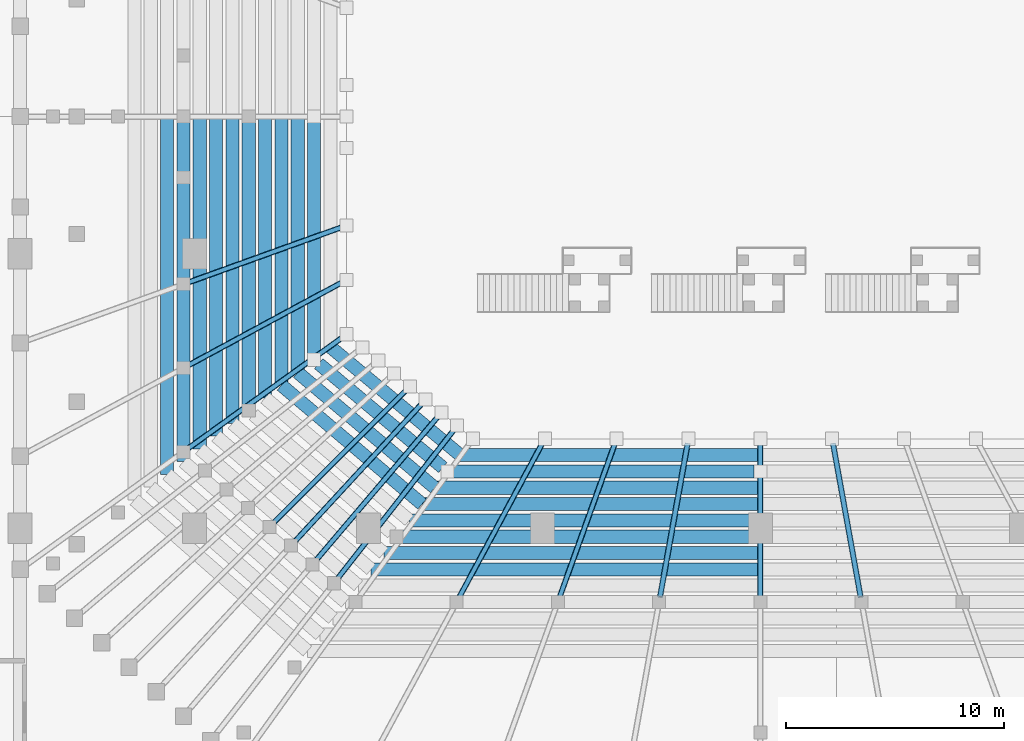
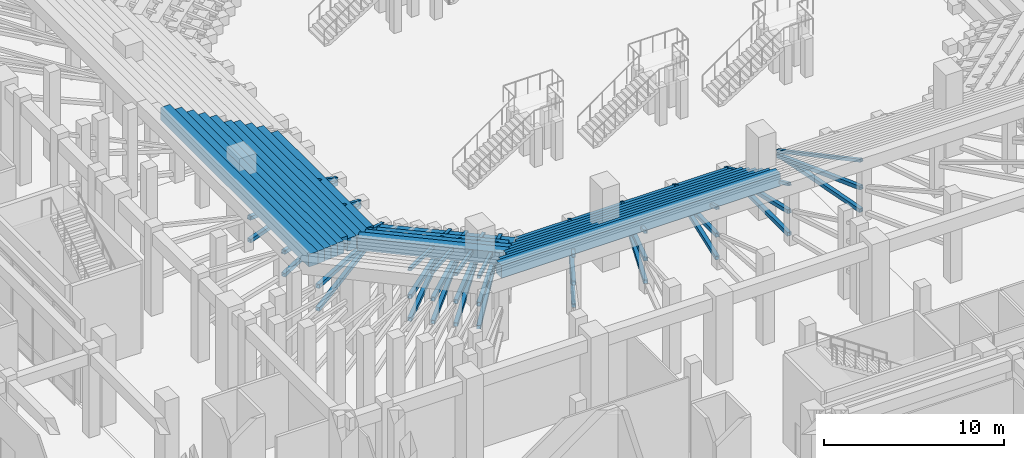
# One storey, part 32 of 143: 36 members, 22 beams.
"""IFC4 building model written with IfcOpenShell, lengths in metres."""

from ifc_helpers import new_model, si_unit, derived_unit, direction, frame, origin, origin_2d, place, context, subcontext, project, spatial, rectangle, hollow_rectangle, extrude, material, material_profile, profile_set, type_object, element, save


model = new_model("IFC4")

# Units and contexts
model_context = context("Model", 3, precision=1e-05, world=origin(), true_north=direction((0.0, 1.0)))
body_context = subcontext(model_context, "Body", "Model", "MODEL_VIEW")
ifc_project = project(units=[si_unit("LENGTHUNIT", "METRE"), si_unit("AREAUNIT", "SQUARE_METRE"), si_unit("VOLUMEUNIT", "CUBIC_METRE"), si_unit("PLANEANGLEUNIT", "RADIAN"), si_unit("MASSUNIT", "GRAM", prefix="KILO"), derived_unit("THERMALTRANSMITTANCEUNIT", [(si_unit("MASSUNIT", "GRAM", prefix="KILO"), 1), (si_unit("TIMEUNIT", "SECOND"), -3), (si_unit("THERMODYNAMICTEMPERATUREUNIT", "KELVIN"), -1)])], contexts=[model_context])

# Site, building, storey
site_placement = place(None, origin())
site = spatial("IfcSite", under=ifc_project, at=site_placement, CompositionType="ELEMENT")
building_placement = place(site_placement, origin())
building = spatial("IfcBuilding", under=site, at=building_placement, Name="Valcora Ridge Arena", CompositionType="ELEMENT")
storey_placement = place(building_placement, origin())
storey = spatial("IfcBuildingStorey", under=building, at=storey_placement, Name="L00", CompositionType="ELEMENT", Elevation=0.0)

# Beams
ifc_material_1 = material(Name="Concrete C40/50", Category="concrete")
ifc_material_profile_1 = material_profile(ifc_material_1, rectangle(XDim=0.60009765625, YDim=0.85009765625, at=origin_2d()), Name="RC 600x850")
ifc_profile_set_1 = profile_set([ifc_material_profile_1], Name="Concrete C40/50")
beam_type = type_object("IfcBeamType", Name="TY-BEAM-B-RC600-X", PredefinedType="BEAM", material=ifc_profile_set_1)
beam_1_placement = place(storey_placement, frame((44.215087890625, 48.550048828125, 0.4150390625), z_axis=(1.0, 0.0, 0.0), x_axis=(0.0, 1.0, 0.0)))
element("IfcBeam", 1, at=beam_1_placement, inside=storey, type_object=beam_type, Name="B-RC600-X BEM-R2-B-RC600-X-0001", PredefinedType="BEAM", context=body_context, shape_type="SweptSolid", body=[
    extrude(rectangle(XDim=0.60009765625, YDim=0.85009765625, at=origin_2d()), origin(), (0.0, 0.0, 1.0), 13.784912109375),
])
beam_2_placement = place(storey_placement, frame((38.25, 53.514892578125, 0.4150390625), z_axis=(0.768605337433, -0.639723248968, 0.0), x_axis=(0.639723248968, 0.768605337433, 0.0)))
element("IfcBeam", 2, at=beam_2_placement, inside=storey, type_object=beam_type, Name="B-RC600-X BEM-R2-B-RC600-X-0012", PredefinedType="BEAM", context=body_context, shape_type="SweptSolid", body=[
    extrude(rectangle(XDim=0.60009765625, YDim=0.85009765625, at=origin_2d()), origin(), (0.0, 0.0, 1.0), 7.760986328125),
])
beam_3_placement = place(storey_placement, frame((43.909912109375, 47.800048828125, 0.85498046875), z_axis=(1.0, 0.0, 0.0), x_axis=(0.0, 1.0, 0.0)))
element("IfcBeam", 3, at=beam_3_placement, inside=storey, type_object=beam_type, Name="B-RC600-X BEM-R2-B-RC600-X-0013", PredefinedType="BEAM", context=body_context, shape_type="SweptSolid", body=[
    extrude(rectangle(XDim=0.60009765625, YDim=0.85009765625, at=origin_2d()), origin(), (0.0, 0.0, 1.0), 13.81005859375),
])
beam_4_placement = place(storey_placement, frame((37.5, 63.820068359375, 0.85498046875), z_axis=(0.0, -1.0, 0.0), x_axis=(1.0, 0.0, 0.0)))
element("IfcBeam", 4, at=beam_4_placement, inside=storey, type_object=beam_type, Name="B-RC600-X BEM-R2-B-RC600-X-0023", PredefinedType="BEAM", context=body_context, shape_type="SweptSolid", body=[
    extrude(rectangle(XDim=0.60009765625, YDim=0.85009765625, at=origin_2d()), origin(), (0.0, 0.0, 1.0), 10.610107421875),
])
beam_5_placement = place(storey_placement, frame((37.714599609375, 52.750244140625, 0.85498046875), z_axis=(0.76690051629, -0.6417659995, 0.0), x_axis=(0.6417659995, 0.76690051629, 0.0)))
element("IfcBeam", 5, at=beam_5_placement, inside=storey, type_object=beam_type, Name="B-RC600-X BEM-R2-B-RC600-X-0024", PredefinedType="BEAM", context=body_context, shape_type="SweptSolid", body=[
    extrude(rectangle(XDim=0.60009765625, YDim=0.85009765625, at=origin_2d()), origin(), (0.0, 0.0, 1.0), 7.433349609375),
])
beam_6_placement = place(storey_placement, frame((43.044921875, 47.050048828125, 1.294921875), z_axis=(1.0, 0.0, 0.0), x_axis=(0.0, 1.0, 0.0)))
element("IfcBeam", 6, at=beam_6_placement, inside=storey, type_object=beam_type, Name="B-RC600-X BEM-R2-B-RC600-X-0025", PredefinedType="BEAM", context=body_context, shape_type="SweptSolid", body=[
    extrude(rectangle(XDim=0.60009765625, YDim=0.85009765625, at=origin_2d()), origin(), (0.0, 0.0, 1.0), 14.955078125),
])
beam_7_placement = place(storey_placement, frame((36.75, 64.10009765625, 1.294921875), z_axis=(0.0, -1.0, 0.0), x_axis=(1.0, 0.0, 0.0)))
element("IfcBeam", 7, at=beam_7_placement, inside=storey, type_object=beam_type, Name="B-RC600-X BEM-R2-B-RC600-X-0035", PredefinedType="BEAM", context=body_context, shape_type="SweptSolid", body=[
    extrude(rectangle(XDim=0.60009765625, YDim=0.85009765625, at=origin_2d()), origin(), (0.0, 0.0, 1.0), 11.755126953125),
])
beam_8_placement = place(storey_placement, frame((36.75, 52.344970703125, 1.294921875), z_axis=(0.765274358305, -0.643704246157, 0.0), x_axis=(0.643704246157, 0.765274358305, 0.0)))
element("IfcBeam", 8, at=beam_8_placement, inside=storey, type_object=beam_type, Name="B-RC600-X BEM-R2-B-RC600-X-0036", PredefinedType="BEAM", context=body_context, shape_type="SweptSolid", body=[
    extrude(rectangle(XDim=0.60009765625, YDim=0.85009765625, at=origin_2d()), origin(), (0.0, 0.0, 1.0), 8.2255859375),
])
beam_9_placement = place(storey_placement, frame((42.4599609375, 46.300048828125, 1.735107421875), z_axis=(1.0, 0.0, 0.0), x_axis=(0.0, 1.0, 0.0)))
element("IfcBeam", 9, at=beam_9_placement, inside=storey, type_object=beam_type, Name="B-RC600-X BEM-R2-B-RC600-X-0037", PredefinedType="BEAM", context=body_context, shape_type="SweptSolid", body=[
    extrude(rectangle(XDim=0.60009765625, YDim=0.85009765625, at=origin_2d()), origin(), (0.0, 0.0, 1.0), 15.5400390625),
])
beam_10_placement = place(storey_placement, frame((36.0, 64.10009765625, 1.735107421875), z_axis=(0.0, -1.0, 0.0), x_axis=(1.0, 0.0, 0.0)))
element("IfcBeam", 10, at=beam_10_placement, inside=storey, type_object=beam_type, Name="B-RC600-X BEM-R2-B-RC600-X-0047", PredefinedType="BEAM", context=body_context, shape_type="SweptSolid", body=[
    extrude(rectangle(XDim=0.60009765625, YDim=0.85009765625, at=origin_2d()), origin(), (0.0, 0.0, 1.0), 12.340087890625),
])
beam_11_placement = place(storey_placement, frame((36.0, 51.760009765625, 1.735107421875), z_axis=(0.763745277173, -0.64551773918, 0.0), x_axis=(0.64551773918, 0.763745277173, 0.0)))
element("IfcBeam", 11, at=beam_11_placement, inside=storey, type_object=beam_type, Name="B-RC600-X BEM-R2-B-RC600-X-0048", PredefinedType="BEAM", context=body_context, shape_type="SweptSolid", body=[
    extrude(rectangle(XDim=0.60009765625, YDim=0.85009765625, at=origin_2d()), origin(), (0.0, 0.0, 1.0), 8.458251953125),
])
beam_12_placement = place(storey_placement, frame((41.875, 45.550048828125, 2.175048828125), z_axis=(1.0, 0.0, 0.0), x_axis=(0.0, 1.0, 0.0)))
element("IfcBeam", 12, at=beam_12_placement, inside=storey, type_object=beam_type, Name="B-RC600-X BEM-R2-B-RC600-X-0049", PredefinedType="BEAM", context=body_context, shape_type="SweptSolid", body=[
    extrude(rectangle(XDim=0.60009765625, YDim=0.85009765625, at=origin_2d()), origin(), (0.0, 0.0, 1.0), 16.125),
])
beam_13_placement = place(storey_placement, frame((35.25, 64.10009765625, 2.175048828125), z_axis=(0.0, -1.0, 0.0), x_axis=(1.0, 0.0, 0.0)))
element("IfcBeam", 13, at=beam_13_placement, inside=storey, type_object=beam_type, Name="B-RC600-X BEM-R2-B-RC600-X-0059", PredefinedType="BEAM", context=body_context, shape_type="SweptSolid", body=[
    extrude(rectangle(XDim=0.60009765625, YDim=0.85009765625, at=origin_2d()), origin(), (0.0, 0.0, 1.0), 12.925048828125),
])
beam_14_placement = place(storey_placement, frame((41.570068359375, 44.800048828125, 2.614990234375), z_axis=(1.0, 0.0, 0.0), x_axis=(0.0, 1.0, 0.0)))
element("IfcBeam", 14, at=beam_14_placement, inside=storey, type_object=beam_type, Name="B-RC600-X BEM-R2-B-RC600-X-0061", PredefinedType="BEAM", context=body_context, shape_type="SweptSolid", body=[
    extrude(rectangle(XDim=0.60009765625, YDim=0.85009765625, at=origin_2d()), origin(), (0.0, 0.0, 1.0), 16.429931640625),
])
beam_15_placement = place(storey_placement, frame((34.5, 63.820068359375, 2.614990234375), z_axis=(0.0, -1.0, 0.0), x_axis=(1.0, 0.0, 0.0)))
element("IfcBeam", 15, at=beam_15_placement, inside=storey, type_object=beam_type, Name="B-RC600-X BEM-R2-B-RC600-X-0071", PredefinedType="BEAM", context=body_context, shape_type="SweptSolid", body=[
    extrude(rectangle(XDim=0.60009765625, YDim=0.85009765625, at=origin_2d()), origin(), (0.0, 0.0, 1.0), 12.949951171875),
])
beam_16_placement = place(storey_placement, frame((40.705078125, 44.050048828125, 3.054931640625), z_axis=(1.0, 0.0, 0.0), x_axis=(0.0, 1.0, 0.0)))
element("IfcBeam", 16, at=beam_16_placement, inside=storey, type_object=beam_type, Name="B-RC600-X BEM-R2-B-RC600-X-0073", PredefinedType="BEAM", context=body_context, shape_type="SweptSolid", body=[
    extrude(rectangle(XDim=0.60009765625, YDim=0.85009765625, at=origin_2d()), origin(), (0.0, 0.0, 1.0), 17.294921875),
])
beam_17_placement = place(storey_placement, frame((33.75, 64.10009765625, 3.054931640625), z_axis=(0.0, -1.0, 0.0), x_axis=(1.0, 0.0, 0.0)))
element("IfcBeam", 17, at=beam_17_placement, inside=storey, type_object=beam_type, Name="B-RC600-X BEM-R2-B-RC600-X-0083", PredefinedType="BEAM", context=body_context, shape_type="SweptSolid", body=[
    extrude(rectangle(XDim=0.60009765625, YDim=0.85009765625, at=origin_2d()), origin(), (0.0, 0.0, 1.0), 14.09521484375),
])
beam_18_placement = place(storey_placement, frame((40.1201171875, 43.300048828125, 3.4951171875), z_axis=(1.0, 0.0, 0.0), x_axis=(0.0, 1.0, 0.0)))
element("IfcBeam", 18, at=beam_18_placement, inside=storey, type_object=beam_type, Name="B-RC600-X BEM-R2-B-RC600-X-0085", PredefinedType="BEAM", context=body_context, shape_type="SweptSolid", body=[
    extrude(rectangle(XDim=0.60009765625, YDim=0.85009765625, at=origin_2d()), origin(), (0.0, 0.0, 1.0), 17.8798828125),
])
beam_19_placement = place(storey_placement, frame((33.0, 64.10009765625, 3.4951171875), z_axis=(0.0, -1.0, 0.0), x_axis=(1.0, 0.0, 0.0)))
element("IfcBeam", 19, at=beam_19_placement, inside=storey, type_object=beam_type, Name="B-RC600-X BEM-R2-B-RC600-X-0095", PredefinedType="BEAM", context=body_context, shape_type="SweptSolid", body=[
    extrude(rectangle(XDim=0.60009765625, YDim=0.85009765625, at=origin_2d()), origin(), (0.0, 0.0, 1.0), 14.68017578125),
])
beam_20_placement = place(storey_placement, frame((32.25, 64.10009765625, 3.93505859375), z_axis=(0.0, -1.0, 0.0), x_axis=(1.0, 0.0, 0.0)))
element("IfcBeam", 20, at=beam_20_placement, inside=storey, type_object=beam_type, Name="B-RC600-X BEM-R2-B-RC600-X-0107", PredefinedType="BEAM", context=body_context, shape_type="SweptSolid", body=[
    extrude(rectangle(XDim=0.60009765625, YDim=0.85009765625, at=origin_2d()), origin(), (0.0, 0.0, 1.0), 15.26513671875),
])
beam_21_placement = place(storey_placement, frame((31.5, 64.10009765625, 4.375), z_axis=(0.0, -1.0, 0.0), x_axis=(1.0, 0.0, 0.0)))
element("IfcBeam", 21, at=beam_21_placement, inside=storey, type_object=beam_type, Name="B-RC600-X BEM-R2-B-RC600-X-0119", PredefinedType="BEAM", context=body_context, shape_type="SweptSolid", body=[
    extrude(rectangle(XDim=0.60009765625, YDim=0.85009765625, at=origin_2d()), origin(), (0.0, 0.0, 1.0), 15.85009765625),
])
beam_22_placement = place(storey_placement, frame((30.75, 64.10009765625, 4.81494140625), z_axis=(0.0, -1.0, 0.0), x_axis=(1.0, 0.0, 0.0)))
element("IfcBeam", 22, at=beam_22_placement, inside=storey, type_object=beam_type, Name="B-RC600-X BEM-R2-B-RC600-X-0131", PredefinedType="BEAM", context=body_context, shape_type="SweptSolid", body=[
    extrude(rectangle(XDim=0.60009765625, YDim=0.85009765625, at=origin_2d()), origin(), (0.0, 0.0, 1.0), 16.43505859375),
])

# Members
ifc_material_2 = material(Name="Steel ASTM A500 Grade C", Category="steel")
ifc_material_profile_2 = material_profile(ifc_material_2, hollow_rectangle(XDim=0.25, YDim=0.25, WallThickness=0.012451171875, at=origin_2d()), Name="HSS250X250X12")
ifc_profile_set_2 = profile_set([ifc_material_profile_2], Name="Steel ASTM A500 Grade C")
member_type_1 = type_object("IfcMemberType", Name="TY-MEMBER-RKRC-251", PredefinedType="CHORD", material=ifc_profile_set_2)
member_1_placement = place(storey_placement, frame((47.98828125, 49.093017578125, 0.29833984375), z_axis=(-0.465453402644, -0.861923249442, 0.201100576924), x_axis=(0.879899060394, -0.47516065022, 0.0)))
element("IfcMember", 23, at=member_1_placement, inside=storey, type_object=member_type_1, Name="RKRC-251 MBR-RK-RKRC-251-0002", PredefinedType="CHORD", context=body_context, shape_type="SweptSolid", body=[
    extrude(hollow_rectangle(XDim=0.25, YDim=0.25, WallThickness=0.012451171875, at=origin_2d()), origin(), (0.0, 0.0, 1.0), 8.221435546875),
])
member_2_placement = place(storey_placement, frame((51.320556640625, 49.079345703125, 0.301513671875), z_axis=(-0.330850255217, -0.919000233363, 0.214421733278), x_axis=(0.940884093102, -0.338728686926, 0.0)))
element("IfcMember", 24, at=member_2_placement, inside=storey, type_object=member_type_1, Name="RKRC-251 MBR-RK-RKRC-251-0003", PredefinedType="CHORD", context=body_context, shape_type="SweptSolid", body=[
    extrude(hollow_rectangle(XDim=0.25, YDim=0.25, WallThickness=0.012451171875, at=origin_2d()), origin(), (0.0, 0.0, 1.0), 7.680908203125),
])
member_3_placement = place(storey_placement, frame((54.65869140625, 49.06982421875, 0.3037109375), z_axis=(-0.172687152754, -0.959210433927, 0.223817985693), x_axis=(0.984178086623, -0.17718209224, 0.0)))
element("IfcMember", 25, at=member_3_placement, inside=storey, type_object=member_type_1, Name="RKRC-251 MBR-RK-RKRC-251-0004", PredefinedType="CHORD", context=body_context, shape_type="SweptSolid", body=[
    extrude(hollow_rectangle(XDim=0.25, YDim=0.25, WallThickness=0.012451171875, at=origin_2d()), origin(), (0.0, 0.0, 1.0), 7.3388671875),
])
member_4_placement = place(storey_placement, frame((58.0, 49.06640625, 0.304443359375), z_axis=(0.0, -0.973836720987, 0.227248852269), x_axis=(1.0, 0.0, 0.0)))
element("IfcMember", 26, at=member_4_placement, inside=storey, type_object=member_type_1, Name="RKRC-251 MBR-RK-RKRC-251-0005", PredefinedType="CHORD", context=body_context, shape_type="SweptSolid", body=[
    extrude(hollow_rectangle(XDim=0.25, YDim=0.25, WallThickness=0.012451171875, at=origin_2d()), origin(), (0.0, 0.0, 1.0), 7.2216796875),
])
member_5_placement = place(storey_placement, frame((61.34130859375, 49.06982421875, 0.3037109375), z_axis=(0.172687152754, -0.959210433927, 0.223817985693), x_axis=(0.984178086623, 0.17718209224, 0.0)))
element("IfcMember", 27, at=member_5_placement, inside=storey, type_object=member_type_1, Name="RKRC-251 MBR-RK-RKRC-251-0006", PredefinedType="CHORD", context=body_context, shape_type="SweptSolid", body=[
    extrude(hollow_rectangle(XDim=0.25, YDim=0.25, WallThickness=0.012451171875, at=origin_2d()), origin(), (0.0, 0.0, 1.0), 7.3388671875),
])
member_6_placement = place(storey_placement, frame((38.779296875, 59.0205078125, 0.301513671875), z_axis=(-0.919004957011, -0.330831612914, 0.214430251798), x_axis=(0.338710249203, -0.940890730683, 0.0)))
element("IfcMember", 28, at=member_6_placement, inside=storey, type_object=member_type_1, Name="RKRC-251 MBR-RK-RKRC-251-0051", PredefinedType="CHORD", context=body_context, shape_type="SweptSolid", body=[
    extrude(hollow_rectangle(XDim=0.25, YDim=0.25, WallThickness=0.012451171875, at=origin_2d()), origin(), (0.0, 0.0, 1.0), 7.6806640625),
])
member_7_placement = place(storey_placement, frame((38.793212890625, 56.48828125, 0.29833984375), z_axis=(-0.861930883615, -0.465441489347, 0.201095429747), x_axis=(0.475147975918, -0.879905904618, 0.0)))
element("IfcMember", 29, at=member_7_placement, inside=storey, type_object=member_type_1, Name="RKRC-251 MBR-RK-RKRC-251-0052", PredefinedType="CHORD", context=body_context, shape_type="SweptSolid", body=[
    extrude(hollow_rectangle(XDim=0.25, YDim=0.25, WallThickness=0.012451171875, at=origin_2d()), origin(), (0.0, 0.0, 1.0), 8.2216796875),
])
member_8_placement = place(storey_placement, frame((38.80859375, 53.962158203125, 0.294677734375), z_axis=(-0.797370949409, -0.574095048612, 0.18604957457), x_axis=(0.584296658889, -0.811540149599, 0.0)))
element("IfcMember", 30, at=member_8_placement, inside=storey, type_object=member_type_1, Name="RKRC-251 MBR-RK-RKRC-251-0053", PredefinedType="CHORD", context=body_context, shape_type="SweptSolid", body=[
    extrude(hollow_rectangle(XDim=0.25, YDim=0.25, WallThickness=0.012451171875, at=origin_2d()), origin(), (0.0, 0.0, 1.0), 8.92578125),
])
member_9_placement = place(storey_placement, frame((41.7333984375, 51.533203125, 0.295166015625), z_axis=(-0.694454111564, -0.694426393271, 0.188428955473), x_axis=(0.70709266911, -0.707120892982, 0.0)))
element("IfcMember", 31, at=member_9_placement, inside=storey, type_object=member_type_1, Name="RKRC-251 MBR-RK-RKRC-251-0057", PredefinedType="CHORD", context=body_context, shape_type="SweptSolid", body=[
    extrude(hollow_rectangle(XDim=0.25, YDim=0.25, WallThickness=0.012451171875, at=origin_2d()), origin(), (0.0, 0.0, 1.0), 8.807861328125),
])
member_10_placement = place(storey_placement, frame((42.465087890625, 50.9267578125, 0.295166015625), z_axis=(-0.665623478086, -0.722149130028, 0.18827113273), x_axis=(0.735298404428, -0.677743503433, 0.0)))
element("IfcMember", 32, at=member_10_placement, inside=storey, type_object=member_type_1, Name="RKRC-251 MBR-RK-RKRC-251-0058", PredefinedType="CHORD", context=body_context, shape_type="SweptSolid", body=[
    extrude(hollow_rectangle(XDim=0.25, YDim=0.25, WallThickness=0.012451171875, at=origin_2d()), origin(), (0.0, 0.0, 1.0), 8.8154296875),
])
member_11_placement = place(storey_placement, frame((43.197509765625, 50.3203125, 0.295166015625), z_axis=(-0.635896408049, -0.7485781687, 0.187793726136), x_axis=(0.762137750657, -0.647414897128, 0.0)))
element("IfcMember", 33, at=member_11_placement, inside=storey, type_object=member_type_1, Name="RKRC-251 MBR-RK-RKRC-251-0059", PredefinedType="CHORD", context=body_context, shape_type="SweptSolid", body=[
    extrude(hollow_rectangle(XDim=0.25, YDim=0.25, WallThickness=0.012451171875, at=origin_2d()), origin(), (0.0, 0.0, 1.0), 8.837646484375),
])
member_12_placement = place(storey_placement, frame((43.9296875, 49.71435546875, 0.294921875), z_axis=(-0.605307455921, -0.77369753626, 0.18706952235), x_axis=(0.787601316701, -0.616185171788, 0.0)))
element("IfcMember", 34, at=member_12_placement, inside=storey, type_object=member_type_1, Name="RKRC-251 MBR-RK-RKRC-251-0060", PredefinedType="CHORD", context=body_context, shape_type="SweptSolid", body=[
    extrude(hollow_rectangle(XDim=0.25, YDim=0.25, WallThickness=0.012451171875, at=origin_2d()), origin(), (0.0, 0.0, 1.0), 8.87451171875),
])
ifc_material_profile_3 = material_profile(ifc_material_2, hollow_rectangle(XDim=0.25, YDim=0.25, WallThickness=0.012451171875, at=origin_2d()), Name="HSS250X250X12")
ifc_profile_set_3 = profile_set([ifc_material_profile_3], Name="Steel ASTM A500 Grade C")
member_type_2 = type_object("IfcMemberType", Name="TY-MEMBER-RKRC-254", PredefinedType="CHORD", material=ifc_profile_set_3)
member_13_placement = place(storey_placement, frame((47.986083984375, 49.0888671875, 0.39990234375), z_axis=(-0.475158314478, -0.879900321731, 0.0), x_axis=(0.879900321731, -0.475158314478, 0.0)))
element("IfcMember", 35, at=member_13_placement, inside=storey, type_object=member_type_2, Name="RKRC-254 MBR-RK-RKRC-254-0002", PredefinedType="CHORD", context=body_context, shape_type="SweptSolid", body=[
    extrude(hollow_rectangle(XDim=0.25, YDim=0.25, WallThickness=0.012451171875, at=origin_2d()), origin(), (0.0, 0.0, 1.0), 8.043701171875),
])
member_14_placement = place(storey_placement, frame((51.318603515625, 49.07421875, 0.39990234375), z_axis=(-0.338713697983, -0.940889489153, 0.0), x_axis=(0.940889489153, -0.338713697983, 0.0)))
element("IfcMember", 36, at=member_14_placement, inside=storey, type_object=member_type_2, Name="RKRC-254 MBR-RK-RKRC-254-0003", PredefinedType="CHORD", context=body_context, shape_type="SweptSolid", body=[
    extrude(hollow_rectangle(XDim=0.25, YDim=0.25, WallThickness=0.012451171875, at=origin_2d()), origin(), (0.0, 0.0, 1.0), 7.4912109375),
])
member_15_placement = place(storey_placement, frame((54.657470703125, 49.063720703125, 0.39990234375), z_axis=(-0.177143062941, -0.984185112289, 0.0), x_axis=(0.984185112289, -0.177143062941, 0.0)))
element("IfcMember", 37, at=member_15_placement, inside=storey, type_object=member_type_2, Name="RKRC-254 MBR-RK-RKRC-254-0004", PredefinedType="CHORD", context=body_context, shape_type="SweptSolid", body=[
    extrude(hollow_rectangle(XDim=0.25, YDim=0.25, WallThickness=0.012451171875, at=origin_2d()), origin(), (0.0, 0.0, 1.0), 7.140625),
])
member_16_placement = place(storey_placement, frame((58.0, 49.06005859375, 0.39990234375), z_axis=(0.0, -1.0, 0.0), x_axis=(1.0, 0.0, 0.0)))
element("IfcMember", 38, at=member_16_placement, inside=storey, type_object=member_type_2, Name="RKRC-254 MBR-RK-RKRC-254-0005", PredefinedType="CHORD", context=body_context, shape_type="SweptSolid", body=[
    extrude(hollow_rectangle(XDim=0.25, YDim=0.25, WallThickness=0.012451171875, at=origin_2d()), origin(), (0.0, 0.0, 1.0), 7.02001953125),
])
member_17_placement = place(storey_placement, frame((61.342529296875, 49.063720703125, 0.39990234375), z_axis=(0.177143062941, -0.984185112289, 0.0), x_axis=(0.984185112289, 0.177143062941, 0.0)))
element("IfcMember", 39, at=member_17_placement, inside=storey, type_object=member_type_2, Name="RKRC-254 MBR-RK-RKRC-254-0006", PredefinedType="CHORD", context=body_context, shape_type="SweptSolid", body=[
    extrude(hollow_rectangle(XDim=0.25, YDim=0.25, WallThickness=0.012451171875, at=origin_2d()), origin(), (0.0, 0.0, 1.0), 7.140625),
])
member_18_placement = place(storey_placement, frame((38.774169921875, 59.018798828125, 0.39990234375), z_axis=(-0.940879102469, -0.33874254905, 0.0), x_axis=(0.33874254905, -0.940879102469, 0.0)))
element("IfcMember", 40, at=member_18_placement, inside=storey, type_object=member_type_2, Name="RKRC-254 MBR-RK-RKRC-254-0051", PredefinedType="CHORD", context=body_context, shape_type="SweptSolid", body=[
    extrude(hollow_rectangle(XDim=0.25, YDim=0.25, WallThickness=0.012451171875, at=origin_2d()), origin(), (0.0, 0.0, 1.0), 7.4912109375),
])
member_19_placement = place(storey_placement, frame((38.788818359375, 56.486083984375, 0.39990234375), z_axis=(-0.879900321731, -0.475158314478, 0.0), x_axis=(0.475158314478, -0.879900321731, 0.0)))
element("IfcMember", 41, at=member_19_placement, inside=storey, type_object=member_type_2, Name="RKRC-254 MBR-RK-RKRC-254-0052", PredefinedType="CHORD", context=body_context, shape_type="SweptSolid", body=[
    extrude(hollow_rectangle(XDim=0.25, YDim=0.25, WallThickness=0.012451171875, at=origin_2d()), origin(), (0.0, 0.0, 1.0), 8.043701171875),
])
member_20_placement = place(storey_placement, frame((38.80517578125, 53.959716796875, 0.39990234375), z_axis=(-0.811524828079, -0.584317938635, 0.0), x_axis=(0.584317938635, -0.811524828079, 0.0)))
element("IfcMember", 42, at=member_20_placement, inside=storey, type_object=member_type_2, Name="RKRC-254 MBR-RK-RKRC-254-0053", PredefinedType="CHORD", context=body_context, shape_type="SweptSolid", body=[
    extrude(hollow_rectangle(XDim=0.25, YDim=0.25, WallThickness=0.012451171875, at=origin_2d()), origin(), (0.0, 0.0, 1.0), 8.76171875),
])
member_21_placement = place(storey_placement, frame((41.730224609375, 51.5302734375, 0.39990234375), z_axis=(-0.707106781187, -0.707106781187, 0.0), x_axis=(0.707106781187, -0.707106781187, 0.0)))
element("IfcMember", 43, at=member_21_placement, inside=storey, type_object=member_type_2, Name="RKRC-254 MBR-RK-RKRC-254-0057", PredefinedType="CHORD", context=body_context, shape_type="SweptSolid", body=[
    extrude(hollow_rectangle(XDim=0.25, YDim=0.25, WallThickness=0.012451171875, at=origin_2d()), origin(), (0.0, 0.0, 1.0), 8.6416015625),
])
member_22_placement = place(storey_placement, frame((42.46240234375, 50.923583984375, 0.39990234375), z_axis=(-0.677773488794, -0.735270765017, 0.0), x_axis=(0.735270765017, -0.677773488794, 0.0)))
element("IfcMember", 44, at=member_22_placement, inside=storey, type_object=member_type_2, Name="RKRC-254 MBR-RK-RKRC-254-0058", PredefinedType="CHORD", context=body_context, shape_type="SweptSolid", body=[
    extrude(hollow_rectangle(XDim=0.25, YDim=0.25, WallThickness=0.012451171875, at=origin_2d()), origin(), (0.0, 0.0, 1.0), 8.6494140625),
])
member_23_placement = place(storey_placement, frame((43.194580078125, 50.317138671875, 0.39990234375), z_axis=(-0.647413846477, -0.762138643155, 0.0), x_axis=(0.762138643155, -0.647413846477, 0.0)))
element("IfcMember", 45, at=member_23_placement, inside=storey, type_object=member_type_2, Name="RKRC-254 MBR-RK-RKRC-254-0059", PredefinedType="CHORD", context=body_context, shape_type="SweptSolid", body=[
    extrude(hollow_rectangle(XDim=0.25, YDim=0.25, WallThickness=0.012451171875, at=origin_2d()), origin(), (0.0, 0.0, 1.0), 8.671875),
])
member_24_placement = place(storey_placement, frame((43.927001953125, 49.7109375, 0.39990234375), z_axis=(-0.616200925647, -0.78758899131, 0.0), x_axis=(0.78758899131, -0.616200925647, 0.0)))
element("IfcMember", 46, at=member_24_placement, inside=storey, type_object=member_type_2, Name="RKRC-254 MBR-RK-RKRC-254-0060", PredefinedType="CHORD", context=body_context, shape_type="SweptSolid", body=[
    extrude(hollow_rectangle(XDim=0.25, YDim=0.25, WallThickness=0.012451171875, at=origin_2d()), origin(), (0.0, 0.0, 1.0), 8.709228515625),
])
ifc_material_profile_4 = material_profile(ifc_material_2, hollow_rectangle(XDim=0.199951171875, YDim=0.199951171875, WallThickness=0.012451171875, at=origin_2d()), Name="HSS200X200X12")
ifc_profile_set_4 = profile_set([ifc_material_profile_4], Name="Steel ASTM A500 Grade C")
member_type_3 = type_object("IfcMemberType", Name="TY-MEMBER-RKRD-204", PredefinedType="BRACE", material=ifc_profile_set_4)
member_25_placement = place(storey_placement, frame((47.994140625, 49.10400390625, 0.5888671875), z_axis=(-0.441322278952, -0.8172925914, 0.370496243089), x_axis=(0.879912473617, -0.475135810872, 0.0)))
element("IfcMember", 47, at=member_25_placement, inside=storey, type_object=member_type_3, Name="RKRD-204 Raker Diagonal Brace", PredefinedType="BRACE", context=body_context, shape_type="SweptSolid", body=[
    extrude(hollow_rectangle(XDim=0.199951171875, YDim=0.199951171875, WallThickness=0.012451171875, at=origin_2d()), origin(), (0.0, 0.0, 1.0), 8.69677734375),
])
member_26_placement = place(storey_placement, frame((51.3251953125, 49.09228515625, 0.59423828125), z_axis=(-0.311547948758, -0.865450734927, 0.3923428361), x_axis=(0.94089237188, -0.338705690146, 0.0)))
element("IfcMember", 48, at=member_26_placement, inside=storey, type_object=member_type_3, Name="RKRD-204 Raker Diagonal Brace", PredefinedType="BRACE", context=body_context, shape_type="SweptSolid", body=[
    extrude(hollow_rectangle(XDim=0.199951171875, YDim=0.199951171875, WallThickness=0.012451171875, at=origin_2d()), origin(), (0.0, 0.0, 1.0), 8.185791015625),
])
member_27_placement = place(storey_placement, frame((54.6611328125, 49.084228515625, 0.597900390625), z_axis=(-0.161765508608, -0.898790399294, 0.40744047217), x_axis=(0.984186524197, -0.177135218374, 0.0)))
element("IfcMember", 49, at=member_27_placement, inside=storey, type_object=member_type_3, Name="RKRD-204 Raker Diagonal Brace", PredefinedType="BRACE", context=body_context, shape_type="SweptSolid", body=[
    extrude(hollow_rectangle(XDim=0.199951171875, YDim=0.199951171875, WallThickness=0.012451171875, at=origin_2d()), origin(), (0.0, 0.0, 1.0), 7.864501953125),
])
member_28_placement = place(storey_placement, frame((58.0, 49.081298828125, 0.59912109375), z_axis=(0.0, -0.910787582671, 0.412875258707), x_axis=(1.0, 0.0, 0.0)))
element("IfcMember", 50, at=member_28_placement, inside=storey, type_object=member_type_3, Name="RKRD-204 Raker Diagonal Brace", PredefinedType="BRACE", context=body_context, shape_type="SweptSolid", body=[
    extrude(hollow_rectangle(XDim=0.199951171875, YDim=0.199951171875, WallThickness=0.012451171875, at=origin_2d()), origin(), (0.0, 0.0, 1.0), 7.754638671875),
])
member_29_placement = place(storey_placement, frame((61.3388671875, 49.084228515625, 0.597900390625), z_axis=(0.161765508608, -0.898790399294, 0.40744047217), x_axis=(0.984186524197, 0.177135218374, 0.0)))
element("IfcMember", 51, at=member_29_placement, inside=storey, type_object=member_type_3, Name="RKRD-204 Raker Diagonal Brace", PredefinedType="BRACE", context=body_context, shape_type="SweptSolid", body=[
    extrude(hollow_rectangle(XDim=0.199951171875, YDim=0.199951171875, WallThickness=0.012451171875, at=origin_2d()), origin(), (0.0, 0.0, 1.0), 7.864501953125),
])
member_30_placement = place(storey_placement, frame((38.792236328125, 59.025146484375, 0.59423828125), z_axis=(-0.865450734927, -0.311547948758, 0.3923428361), x_axis=(0.338705690146, -0.94089237188, 0.0)))
element("IfcMember", 52, at=member_30_placement, inside=storey, type_object=member_type_3, Name="RKRD-204 Raker Diagonal Brace", PredefinedType="BRACE", context=body_context, shape_type="SweptSolid", body=[
    extrude(hollow_rectangle(XDim=0.199951171875, YDim=0.199951171875, WallThickness=0.012451171875, at=origin_2d()), origin(), (0.0, 0.0, 1.0), 8.185791015625),
])
member_31_placement = place(storey_placement, frame((38.803955078125, 56.494140625, 0.5888671875), z_axis=(-0.8172925914, -0.441322278952, 0.370496243089), x_axis=(0.475135810872, -0.879912473617, 0.0)))
element("IfcMember", 53, at=member_31_placement, inside=storey, type_object=member_type_3, Name="RKRD-204 Raker Diagonal Brace", PredefinedType="BRACE", context=body_context, shape_type="SweptSolid", body=[
    extrude(hollow_rectangle(XDim=0.199951171875, YDim=0.199951171875, WallThickness=0.012451171875, at=origin_2d()), origin(), (0.0, 0.0, 1.0), 8.69677734375),
])
member_32_placement = place(storey_placement, frame((38.817138671875, 53.968505859375, 0.5830078125), z_axis=(-0.761616884855, -0.548394390331, 0.34525832844), x_axis=(0.584325941503, -0.811519065757, 0.0)))
element("IfcMember", 54, at=member_32_placement, inside=storey, type_object=member_type_3, Name="RKRD-204 Raker Diagonal Brace", PredefinedType="BRACE", context=body_context, shape_type="SweptSolid", body=[
    extrude(hollow_rectangle(XDim=0.199951171875, YDim=0.199951171875, WallThickness=0.012451171875, at=origin_2d()), origin(), (0.0, 0.0, 1.0), 9.3671875),
])
member_33_placement = place(storey_placement, frame((41.740966796875, 51.541015625, 0.583740234375), z_axis=(-0.662575857182, -0.662575857182, 0.349265610904), x_axis=(0.707106781187, -0.707106781187, 0.0)))
element("IfcMember", 55, at=member_33_placement, inside=storey, type_object=member_type_3, Name="RKRD-204 Raker Diagonal Brace", PredefinedType="BRACE", context=body_context, shape_type="SweptSolid", body=[
    extrude(hollow_rectangle(XDim=0.199951171875, YDim=0.199951171875, WallThickness=0.012451171875, at=origin_2d()), origin(), (0.0, 0.0, 1.0), 9.2548828125),
])
member_34_placement = place(storey_placement, frame((42.47265625, 50.9345703125, 0.583740234375), z_axis=(-0.63517016771, -0.689023614449, 0.349006184449), x_axis=(0.735256215853, -0.677789271861, 0.0)))
element("IfcMember", 56, at=member_34_placement, inside=storey, type_object=member_type_3, Name="RKRD-204 Raker Diagonal Brace", PredefinedType="BRACE", context=body_context, shape_type="SweptSolid", body=[
    extrude(hollow_rectangle(XDim=0.199951171875, YDim=0.199951171875, WallThickness=0.012451171875, at=origin_2d()), origin(), (0.0, 0.0, 1.0), 9.26171875),
])
member_35_placement = place(storey_placement, frame((43.204345703125, 50.32861328125, 0.58349609375), z_axis=(-0.606870599882, -0.71443726309, 0.348263509583), x_axis=(0.76215041241, -0.647399991399, 0.0)))
element("IfcMember", 57, at=member_35_placement, inside=storey, type_object=member_type_3, Name="RKRD-204 Raker Diagonal Brace", PredefinedType="BRACE", context=body_context, shape_type="SweptSolid", body=[
    extrude(hollow_rectangle(XDim=0.199951171875, YDim=0.199951171875, WallThickness=0.012451171875, at=origin_2d()), origin(), (0.0, 0.0, 1.0), 9.282958984375),
])
member_36_placement = place(storey_placement, frame((43.936279296875, 49.72265625, 0.583251953125), z_axis=(-0.577910837908, -0.73865268814, 0.347003270492), x_axis=(0.787590473734, -0.616199030901, 0.0)))
element("IfcMember", 58, at=member_36_placement, inside=storey, type_object=member_type_3, Name="RKRD-204 Raker Diagonal Brace", PredefinedType="BRACE", context=body_context, shape_type="SweptSolid", body=[
    extrude(hollow_rectangle(XDim=0.199951171875, YDim=0.199951171875, WallThickness=0.012451171875, at=origin_2d()), origin(), (0.0, 0.0, 1.0), 9.318115234375),
])

save(model, "model.ifc")
